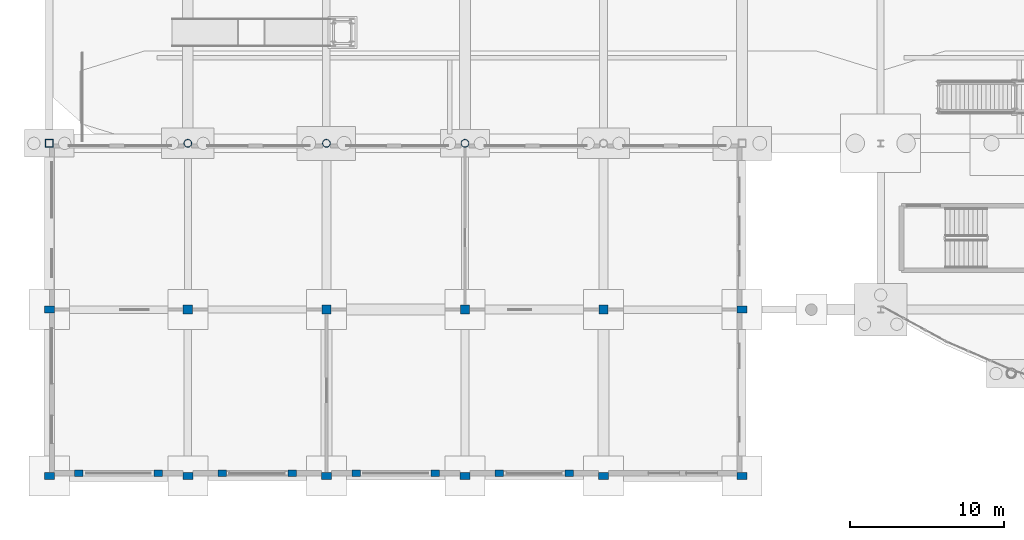
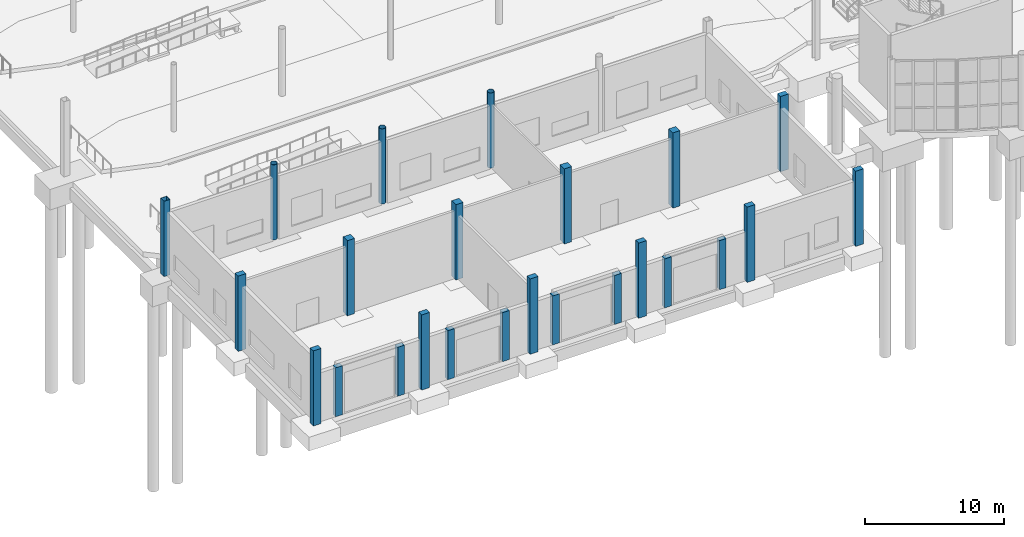
# One storey, part 9 of 115: 24 columns.
"""IFC4 building model written with IfcOpenShell, lengths in metres."""

from ifc_helpers import new_model, si_unit, direction, frame, origin, origin_2d, place, context, subcontext, project, spatial, rectangle, hollow_rectangle, hollow_circle, extrude, material, material_profile, profile_set, type_object, element, save


model = new_model("IFC4")

# Units and contexts
model_context = context("Model", 3, precision=1e-05, world=origin(), true_north=direction((0.0, 1.0)))
body_context = subcontext(model_context, "Body", "Model", "MODEL_VIEW")
ifc_project = project(units=[si_unit("LENGTHUNIT", "METRE"), si_unit("AREAUNIT", "SQUARE_METRE"), si_unit("VOLUMEUNIT", "CUBIC_METRE"), si_unit("PLANEANGLEUNIT", "RADIAN"), si_unit("MASSUNIT", "GRAM", prefix="KILO")], contexts=[model_context])

# Site, building, storey
site_placement = place(None, origin())
site = spatial("IfcSite", under=ifc_project, at=site_placement, CompositionType="ELEMENT")
building_placement = place(site_placement, origin())
building = spatial("IfcBuilding", under=site, at=building_placement, Name="Tamarisk Ironworks Central Station", CompositionType="ELEMENT")
storey_placement = place(building_placement, origin())
storey = spatial("IfcBuildingStorey", under=building, at=storey_placement, Name="L00", CompositionType="ELEMENT", Elevation=0.0)

# Columns
ifc_material_1 = material(Name="Clay facing brickwork and mortar", Category="masonry")
ifc_material_profile_1 = material_profile(ifc_material_1, rectangle(XDim=0.64990234375, YDim=0.449951171875, at=origin_2d()), Name="PIL 650x450")
ifc_profile_set_1 = profile_set([ifc_material_profile_1], Name="Clay facing brickwork and mortar")
column_type_1 = type_object("IfcColumnType", Name="COL-PIL01", PredefinedType="PILASTER", material=ifc_profile_set_1)
for number, where, z_axis, x_axis, name in (
    (1, (0.0, 0.0, 0.0), (0.0, 0.0, 1.0), (1.0, 0.0, 0.0), "L00 column V1B-01A"),
    (2, (0.0, 10.800048828125, 0.0), (0.0, 0.0, 1.0), (1.0, 0.0, 0.0), "L00 column V1B-01B"),
    (3, (9.0, 0.0, 0.0), (0.0, 0.0, 1.0), (1.0, 0.0, 0.0), "L00 column V1B-02A"),
    (4, (18.0, 0.0, 0.0), (0.0, 0.0, 1.0), (1.0, 0.0, 0.0), "L00 column V1B-03A"),
    (5, (27.0, 0.0, 0.0), (0.0, 0.0, 1.0), (1.0, 0.0, 0.0), "L00 column V1B-04A"),
    (6, (36.0, 0.0, 0.0), (0.0, 0.0, 1.0), (1.0, 0.0, 0.0), "L00 column V1B-05A"),
    (7, (45.0, 0.0, 0.0), (0.0, 0.0, 1.0), (1.0, 0.0, 0.0), "L00 column V1B-06A"),
    (8, (45.0, 10.800048828125, 0.0), (0.0, 0.0, 1.0), (1.0, 0.0, 0.0), "L00 column V1B-06B"),
):
    element("IfcColumn", number, at=place(storey_placement, frame(where, z_axis=z_axis, x_axis=x_axis)), inside=storey, type_object=column_type_1, Name=name, PredefinedType="PILASTER", context=body_context, shape_type="SweptSolid", body=[
        extrude(rectangle(XDim=0.64990234375, YDim=0.449951171875, at=origin_2d()), origin(), (0.0, 0.0, 1.0), 6.60009765625),
    ])
ifc_material_profile_2 = material_profile(ifc_material_1, rectangle(XDim=0.550048828125, YDim=0.39990234375, at=origin_2d()), Name="PIL 550x400")
ifc_profile_set_2 = profile_set([ifc_material_profile_2], Name="Clay facing brickwork and mortar")
column_type_2 = type_object("IfcColumnType", Name="COL-PIL02", PredefinedType="PILASTER", material=ifc_profile_set_2)
for number, where, z_axis, x_axis, name in (
    (9, (1.925048828125, 0.169921875, 0.0), (0.0, 0.0, 1.0), (1.0, 0.0, 0.0), "Roller shutter portal jamb pilaster 001"),
    (10, (7.074951171875, 0.169921875, 0.0), (0.0, 0.0, 1.0), (1.0, 0.0, 0.0), "Roller shutter portal jamb pilaster 002"),
    (11, (11.22509765625, 0.169921875, 0.0), (0.0, 0.0, 1.0), (1.0, 0.0, 0.0), "Roller shutter portal jamb pilaster 003"),
    (12, (15.77490234375, 0.169921875, 0.0), (0.0, 0.0, 1.0), (1.0, 0.0, 0.0), "Roller shutter portal jamb pilaster 004"),
    (13, (19.925048828125, 0.169921875, 0.0), (0.0, 0.0, 1.0), (1.0, 0.0, 0.0), "Roller shutter portal jamb pilaster 005"),
    (14, (25.074951171875, 0.169921875, 0.0), (0.0, 0.0, 1.0), (1.0, 0.0, 0.0), "Roller shutter portal jamb pilaster 006"),
    (15, (29.22509765625, 0.169921875, 0.0), (0.0, 0.0, 1.0), (1.0, 0.0, 0.0), "Roller shutter portal jamb pilaster 007"),
    (16, (33.77490234375, 0.169921875, 0.0), (0.0, 0.0, 1.0), (1.0, 0.0, 0.0), "Roller shutter portal jamb pilaster 008"),
):
    element("IfcColumn", number, at=place(storey_placement, frame(where, z_axis=z_axis, x_axis=x_axis)), inside=storey, type_object=column_type_2, Name=name, PredefinedType="PILASTER", context=body_context, shape_type="SweptSolid", body=[
        extrude(rectangle(XDim=0.550048828125, YDim=0.39990234375, at=origin_2d()), origin(), (0.0, 0.0, 1.0), 4.300048828125),
    ])
ifc_material_2 = material(Name="Concrete C50/60", Category="concrete")
ifc_material_profile_3 = material_profile(ifc_material_2, rectangle(XDim=0.60009765625, YDim=0.60009765625, at=origin_2d()), Name="RC 600x600")
ifc_profile_set_3 = profile_set([ifc_material_profile_3], Name="Concrete C50/60")
column_type_3 = type_object("IfcColumnType", Name="COL-RC03", PredefinedType="COLUMN", material=ifc_profile_set_3)
for number, where, z_axis, x_axis, name in (
    (17, (9.0, 10.800048828125, 0.0), (0.0, 0.0, 1.0), (1.0, 0.0, 0.0), "L00 column V1B-02B"),
    (18, (18.0, 10.800048828125, 0.0), (0.0, 0.0, 1.0), (1.0, 0.0, 0.0), "L00 column V1B-03B"),
    (19, (27.0, 10.800048828125, 0.0), (0.0, 0.0, 1.0), (1.0, 0.0, 0.0), "L00 column V1B-04B"),
    (20, (36.0, 10.800048828125, 0.0), (0.0, 0.0, 1.0), (1.0, 0.0, 0.0), "L00 column V1B-05B"),
):
    element("IfcColumn", number, at=place(storey_placement, frame(where, z_axis=z_axis, x_axis=x_axis)), inside=storey, type_object=column_type_3, Name=name, PredefinedType="COLUMN", context=body_context, shape_type="SweptSolid", body=[
        extrude(rectangle(XDim=0.60009765625, YDim=0.60009765625, at=origin_2d()), origin(), (0.0, 0.0, 1.0), 6.60009765625),
    ])
ifc_material_3 = material(Name="Structural steel S355J2H", Category="steel")
ifc_material_profile_4 = material_profile(ifc_material_3, hollow_rectangle(XDim=0.5, YDim=0.5, WallThickness=0.02001953125, at=origin_2d()), Name="SHS 500x500x20")
ifc_profile_set_4 = profile_set([ifc_material_profile_4], Name="Structural steel S355J2H")
column_type_4 = type_object("IfcColumnType", Name="COL-S13", PredefinedType="COLUMN", material=ifc_profile_set_4)
column_placement = place(storey_placement, frame((0.0, 21.60009765625, 0.0), z_axis=(0.0, 0.0, 1.0), x_axis=(1.0, 0.0, 0.0)))
element("IfcColumn", 21, at=column_placement, inside=storey, type_object=column_type_4, Name="L00 column V1-01C", PredefinedType="COLUMN", context=body_context, shape_type="SweptSolid", body=[
    extrude(hollow_rectangle(XDim=0.5, YDim=0.5, WallThickness=0.02001953125, at=origin_2d()), origin(), (0.0, 0.0, 1.0), 6.60009765625),
])
ifc_material_profile_5 = material_profile(ifc_material_3, hollow_circle(Radius=0.25390625, WallThickness=0.01611328125, at=origin_2d()), Name="CHS 508x16")
ifc_profile_set_5 = profile_set([ifc_material_profile_5], Name="Structural steel S355J2H")
column_type_5 = type_object("IfcColumnType", Name="COL-S16", PredefinedType="COLUMN", material=ifc_profile_set_5)
for number, where, z_axis, x_axis, name in (
    (22, (9.0, 21.60009765625, 0.0), (0.0, 0.0, 1.0), (1.0, 0.0, 0.0), "L00 column V1-02C"),
    (23, (18.0, 21.60009765625, 0.0), (0.0, 0.0, 1.0), (1.0, 0.0, 0.0), "L00 column V1-03C"),
    (24, (27.0, 21.60009765625, 0.0), (0.0, 0.0, 1.0), (1.0, 0.0, 0.0), "L00 column V1-04C"),
):
    element("IfcColumn", number, at=place(storey_placement, frame(where, z_axis=z_axis, x_axis=x_axis)), inside=storey, type_object=column_type_5, Name=name, PredefinedType="COLUMN", context=body_context, shape_type="SweptSolid", body=[
        extrude(hollow_circle(Radius=0.25390625, WallThickness=0.01611328125, at=origin_2d()), origin(), (0.0, 0.0, 1.0), 6.60009765625),
    ])

save(model, "model.ifc")
